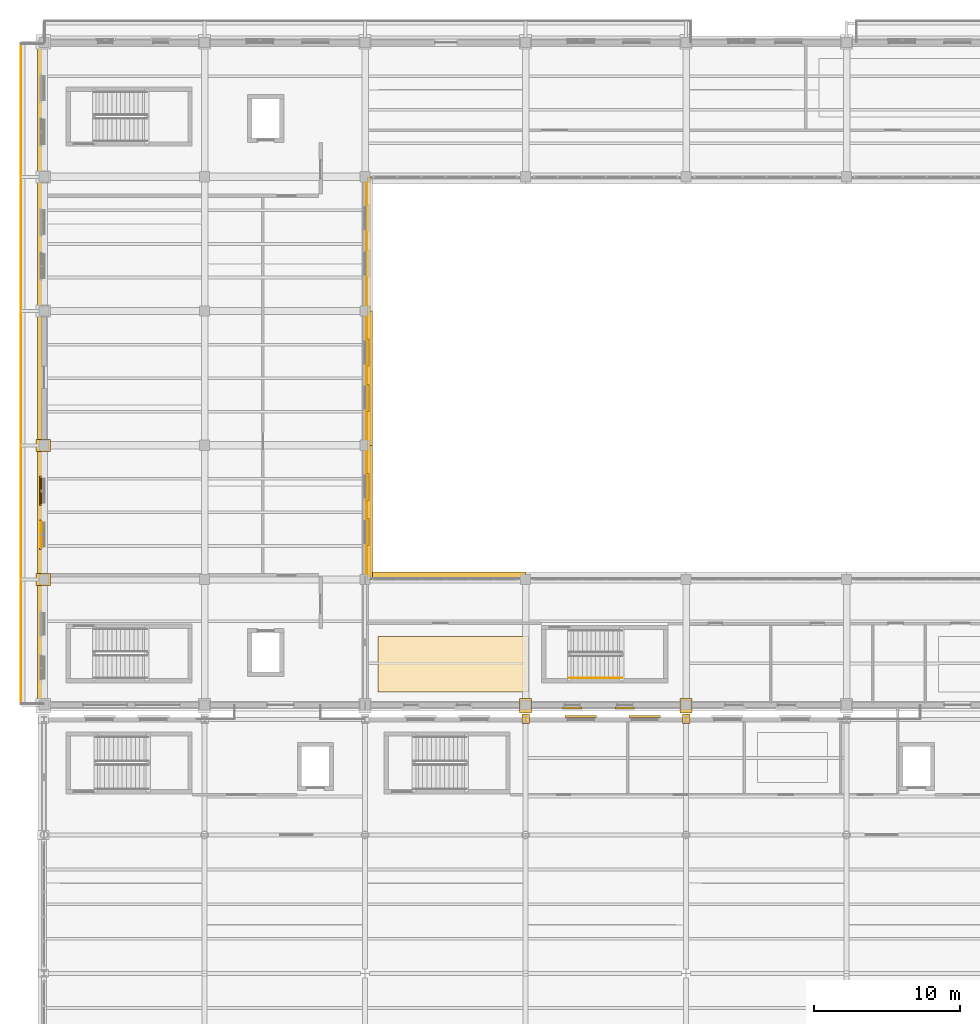
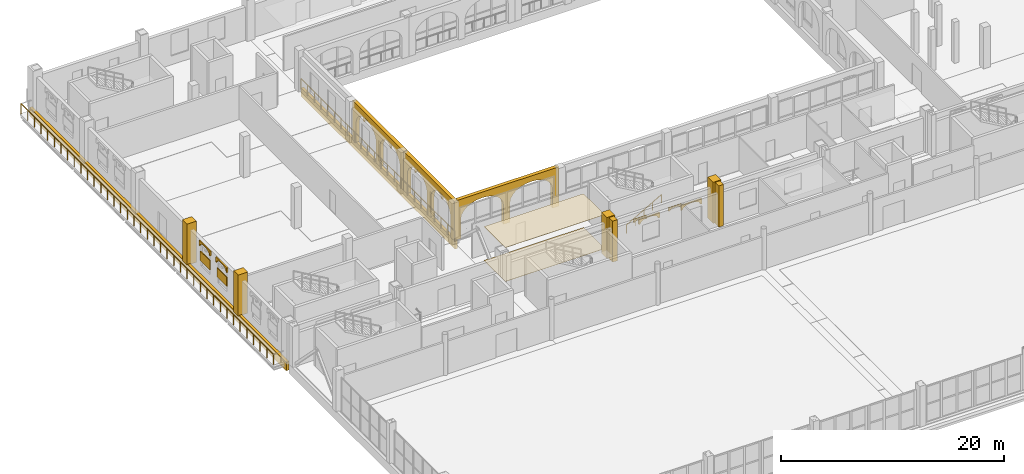
# One storey, part 137 of 156: 23 coverings, 3 railings, 2 shading devices.
"""IFC4 building model written with IfcOpenShell, lengths in metres."""

from ifc_helpers import new_model, si_unit, direction, frame, frame_2d, origin, origin_2d, place, context, subcontext, project, spatial, polyline, rectangle, circle, outline, extrude, material, layer, layer_set, type_object, element, save


model = new_model("IFC4")

# Units and contexts
model_context = context("Model", 3, precision=1e-05, world=origin(), true_north=direction((0.0, 1.0)))
body_context = subcontext(model_context, "Body", "Model", "MODEL_VIEW")
ifc_project = project(units=[si_unit("LENGTHUNIT", "METRE"), si_unit("AREAUNIT", "SQUARE_METRE"), si_unit("VOLUMEUNIT", "CUBIC_METRE"), si_unit("PLANEANGLEUNIT", "RADIAN"), si_unit("MASSUNIT", "GRAM", prefix="KILO")], contexts=[model_context])

# Site, building, storey
site_placement = place(None, origin())
site = spatial("IfcSite", under=ifc_project, at=site_placement, CompositionType="ELEMENT")
building_placement = place(site_placement, origin())
building = spatial("IfcBuilding", under=site, at=building_placement, Name="Caurita Quay Ferry Terminal", CompositionType="ELEMENT")
storey_placement = place(building_placement, frame((0.0, 0.0, 5.39990234375)))
storey = spatial("IfcBuildingStorey", under=building, at=storey_placement, Name="L01", CompositionType="ELEMENT", Elevation=5.39990234375)

# Coverings
ifc_material_1 = material(Name="Warm-white lime stucco masonry", Category="masonry")
ifc_layer_1 = layer(ifc_material_1, 0.360107421875, Name="Spanish Colonial semicircular lime-stucco portales arcade 360 mm")
ifc_layer_set_1 = layer_set([ifc_layer_1], Name="Warm-white lime stucco masonry")
covering_type_1 = type_object("IfcCoveringType", Name="COV-ARC-CLD", PredefinedType="CLADDING", material=ifc_layer_set_1)
covering_1_placement = place(storey_placement, frame((22.14990234375, 80.52001953125, 0.0), z_axis=(0.0, 0.0, 1.0), x_axis=(1.0, 0.0, 0.0)))
element("IfcCovering", 1, at=covering_1_placement, inside=storey, type_object=covering_type_1, Name="L01 Courtyard South Cloister Arcade 053", PredefinedType="CLADDING", context=body_context, shape_type="SweptSolid", body=[
    extrude(outline(polyline([(0.0, 0.0), (0.679931640625, 0.0), (0.679931640625, 2.14990234375), (0.755126953125, 2.55126953125), (0.97509765625, 2.925048828125), (1.3251953125, 3.24609375), (1.78125, 3.492431640625), (2.3125, 3.647216796875), (2.882568359375, 3.699951171875), (3.45263671875, 3.647216796875), (3.98388671875, 3.492431640625), (4.43994140625, 3.24609375), (4.7900390625, 2.925048828125), (5.010009765625, 2.55126953125), (5.0849609375, 2.14990234375), (5.0849609375, 0.0), (5.76513671875, 0.0), (5.76513671875, 2.14990234375), (5.840087890625, 2.55126953125), (6.06005859375, 2.925048828125), (6.41015625, 3.24609375), (6.8662109375, 3.492431640625), (7.3974609375, 3.647216796875), (7.967529296875, 3.699951171875), (8.53759765625, 3.647216796875), (9.06884765625, 3.492431640625), (9.52490234375, 3.24609375), (9.875, 2.925048828125), (10.094970703125, 2.55126953125), (10.170166015625, 2.14990234375), (10.170166015625, 0.0), (10.85009765625, 0.0), (10.85009765625, 4.300048828125), (0.0, 4.300048828125), (0.0, 0.0)])), frame((0.0, 0.18017578125, 0.0), z_axis=(0.0, -1.0, 0.0), x_axis=(1.0, 0.0, 0.0)), (0.0, 0.0, 1.0), 0.360107421875),
])
covering_2_placement = place(storey_placement, frame((22.320068359375, 80.35009765625, 0.0), z_axis=(0.0, 0.0, 1.0), x_axis=(0.0, 1.0, 0.0)))
element("IfcCovering", 2, at=covering_2_placement, inside=storey, type_object=covering_type_1, Name="L01 Courtyard West Cloister Arcade 061", PredefinedType="CLADDING", context=body_context, shape_type="SweptSolid", body=[
    extrude(outline(polyline([(0.0, 0.0), (0.64990234375, 0.0), (0.64990234375, 2.14990234375), (0.71044921875, 2.55126953125), (0.8876953125, 2.925048828125), (1.169921875, 3.24609375), (1.537353515625, 3.492431640625), (1.965576171875, 3.647216796875), (2.425048828125, 3.699951171875), (2.88427734375, 3.647216796875), (3.3125, 3.492431640625), (3.679931640625, 3.24609375), (3.962158203125, 2.925048828125), (4.139404296875, 2.55126953125), (4.199951171875, 2.14990234375), (4.199951171875, 0.0), (4.849853515625, 0.0), (4.849853515625, 2.14990234375), (4.910400390625, 2.55126953125), (5.087646484375, 2.925048828125), (5.369873046875, 3.24609375), (5.7373046875, 3.492431640625), (6.16552734375, 3.647216796875), (6.624755859375, 3.699951171875), (7.084228515625, 3.647216796875), (7.51220703125, 3.492431640625), (7.8798828125, 3.24609375), (8.162109375, 2.925048828125), (8.33935546875, 2.55126953125), (8.39990234375, 2.14990234375), (8.39990234375, 0.0), (9.0498046875, 0.0), (9.0498046875, 4.300048828125), (0.0, 4.300048828125), (0.0, 0.0)])), frame((0.0, 0.18017578125, 0.0), z_axis=(0.0, -1.0, 0.0), x_axis=(1.0, 0.0, 0.0)), (0.0, 0.0, 1.0), 0.360107421875),
])
covering_3_placement = place(storey_placement, frame((22.320068359375, 89.39990234375, 0.0), z_axis=(0.0, 0.0, 1.0), x_axis=(0.0, 1.0, 0.0)))
element("IfcCovering", 3, at=covering_3_placement, inside=storey, type_object=covering_type_1, Name="L01 Courtyard West Cloister Arcade 063", PredefinedType="CLADDING", context=body_context, shape_type="SweptSolid", body=[
    extrude(outline(polyline([(0.0, 0.0), (0.64990234375, 0.0), (0.64990234375, 2.14990234375), (0.711669921875, 2.55126953125), (0.892822265625, 2.925048828125), (1.180908203125, 3.24609375), (1.55615234375, 3.492431640625), (1.993408203125, 3.647216796875), (2.462646484375, 3.699951171875), (2.931640625, 3.647216796875), (3.368896484375, 3.492431640625), (3.744140625, 3.24609375), (4.0322265625, 2.925048828125), (4.21337890625, 2.55126953125), (4.275146484375, 2.14990234375), (4.275146484375, 0.0), (4.925048828125, 0.0), (4.925048828125, 2.14990234375), (4.98681640625, 2.55126953125), (5.16796875, 2.925048828125), (5.4560546875, 3.24609375), (5.831298828125, 3.492431640625), (6.2685546875, 3.647216796875), (6.737548828125, 3.699951171875), (7.206787109375, 3.647216796875), (7.64404296875, 3.492431640625), (8.019287109375, 3.24609375), (8.307373046875, 2.925048828125), (8.488525390625, 2.55126953125), (8.55029296875, 2.14990234375), (8.55029296875, 0.0), (9.2001953125, 0.0), (9.2001953125, 4.300048828125), (0.0, 4.300048828125), (0.0, 0.0)])), frame((0.0, 0.18017578125, 0.0), z_axis=(0.0, -1.0, 0.0), x_axis=(1.0, 0.0, 0.0)), (0.0, 0.0, 1.0), 0.360107421875),
])
ifc_material_2 = material(Name="Acoustic mineral fibre tile", Category="finish")
ifc_layer_2 = layer(ifc_material_2, 0.02001953125, Name="Acoustic mineral-fibre suspended ceiling 20 mm")
ifc_layer_set_2 = layer_set([ifc_layer_2], Name="Acoustic mineral fibre tile")
covering_type_2 = type_object("IfcCoveringType", Name="COV-CEIL-020", PredefinedType="CEILING", material=ifc_layer_set_2)
covering_4_placement = place(storey_placement, frame((0.0, 0.0, 3.712158203125)))
element("IfcCovering", 4, at=covering_4_placement, inside=storey, type_object=covering_type_2, Name="Passenger Customer Relations Office Acoustic Ceiling", PredefinedType="CEILING", context=body_context, shape_type="SweptSolid", body=[
    extrude(outline(polyline([(22.89990234375, 72.5), (33.199951171875, 72.5), (33.199951171875, 76.300048828125), (22.89990234375, 76.300048828125), (22.89990234375, 72.5)])), origin(), (0.0, 0.0, 1.0), 0.02001953125),
])
ifc_material_3 = material(Name="Coral stone ashlar cladding", Category="masonry")
ifc_layer_3 = layer(ifc_material_3, 0.239990234375, Name="Classical coral-stone entablature and cornice moulding 240 mm")
ifc_layer_set_3 = layer_set([ifc_layer_3], Name="Coral stone ashlar cladding")
covering_type_3 = type_object("IfcCoveringType", Name="COV-ENT-MLD", PredefinedType="MOLDING", material=ifc_layer_set_3)
covering_5_placement = place(storey_placement, frame((-0.320068359375, 117.320068359375, -0.849853515625), z_axis=(0.0, 0.0, 1.0), x_axis=(0.0, -1.0, 0.0)))
element("IfcCovering", 5, at=covering_5_placement, inside=storey, type_object=covering_type_3, Name="L01 Classical Entablature Cornice 006", PredefinedType="MOLDING", context=body_context, shape_type="SweptSolid", body=[
    extrude(rectangle(XDim=46.02001953125, YDim=0.280029296875, at=frame_2d((23.010009765625, 0.0))), origin(), (0.0, 0.0, 1.0), 0.929931640625),
])
covering_6_placement = place(storey_placement, frame((22.280029296875, 80.199951171875, -0.849853515625), z_axis=(0.0, 0.0, 1.0), x_axis=(0.0, 1.0, 0.0)))
element("IfcCovering", 6, at=covering_6_placement, inside=storey, type_object=covering_type_3, Name="L01 Classical Entablature Cornice 021", PredefinedType="MOLDING", context=body_context, shape_type="SweptSolid", body=[
    extrude(rectangle(XDim=27.60009765625, YDim=0.280029296875, at=frame_2d((13.800048828125, 0.0))), origin(), (0.0, 0.0, 1.0), 0.929931640625),
])
ifc_material_4 = material(Name="Polished marine terrazzo tile", Category="finish")
ifc_layer_4 = layer(ifc_material_4, 0.02490234375, Name="Polished marine terrazzo floor finish 25 mm")
ifc_layer_set_4 = layer_set([ifc_layer_4], Name="Polished marine terrazzo tile")
covering_type_4 = type_object("IfcCoveringType", Name="COV-FLR-025", PredefinedType="FLOORING", material=ifc_layer_set_4)
covering_7_placement = place(storey_placement, origin())
element("IfcCovering", 7, at=covering_7_placement, inside=storey, type_object=covering_type_4, Name="Passenger Customer Relations Office Terrazzo Flooring", PredefinedType="FLOORING", context=body_context, shape_type="SweptSolid", body=[
    extrude(outline(polyline([(22.89990234375, 72.5), (33.199951171875, 72.5), (33.199951171875, 76.300048828125), (22.89990234375, 76.300048828125), (22.89990234375, 72.5)])), origin(), (0.0, 0.0, 1.0), 0.025146484375),
])
ifc_layer_5 = layer(ifc_material_1, 0.179931640625, Name="Classical engaged lime-stucco facade pilaster cladding 180 mm")
ifc_layer_set_5 = layer_set([ifc_layer_5], Name="Warm-white lime stucco masonry")
covering_type_5 = type_object("IfcCoveringType", Name="COV-PIL-CLD", PredefinedType="CLADDING", material=ifc_layer_set_5)
for number, where, z_axis, x_axis, name in (
    (8, (33.0, 70.64990234375, 0.0), (0.0, 0.0, 1.0), (1.0, 0.0, 0.0), "L01 Classical Engaged Pilaster 0038"),
    (9, (44.0, 70.64990234375, 0.0), (0.0, 0.0, 1.0), (1.0, 0.0, 0.0), "L01 Classical Engaged Pilaster 0045"),
):
    element("IfcCovering", number, at=place(storey_placement, frame(where, z_axis=z_axis, x_axis=x_axis)), inside=storey, type_object=covering_type_5, Name=name, PredefinedType="CLADDING", context=body_context, shape_type="SweptSolid", body=[
        extrude(rectangle(XDim=0.513671875, YDim=0.656005859375, at=origin_2d()), origin(), (0.0, 0.0, 1.0), 4.5),
    ])
for number, where, z_axis, x_axis, name in (
    (10, (-0.050048828125, 80.199951171875, 0.0), (0.0, 0.0, 1.0), (1.0, 0.0, 0.0), "L01 Classical Engaged Pilaster 0272"),
    (11, (-0.050048828125, 89.39990234375, 0.0), (0.0, 0.0, 1.0), (1.0, 0.0, 0.0), "L01 Classical Engaged Pilaster 0277"),
):
    element("IfcCovering", number, at=place(storey_placement, frame(where, z_axis=z_axis, x_axis=x_axis)), inside=storey, type_object=covering_type_5, Name=name, PredefinedType="CLADDING", context=body_context, shape_type="SweptSolid", body=[
        extrude(rectangle(XDim=0.97998046875, YDim=0.820068359375, at=origin_2d()), origin(), (0.0, 0.0, 1.0), 4.5),
    ])
for number, where, z_axis, x_axis, name in (
    (12, (33.0, 71.550048828125, 0.0), (0.0, 0.0, 1.0), (1.0, 0.0, 0.0), "L01 Classical Engaged Pilaster 0329"),
    (13, (44.0, 71.550048828125, 0.0), (0.0, 0.0, 1.0), (1.0, 0.0, 0.0), "L01 Classical Engaged Pilaster 0343"),
):
    element("IfcCovering", number, at=place(storey_placement, frame(where, z_axis=z_axis, x_axis=x_axis)), inside=storey, type_object=covering_type_5, Name=name, PredefinedType="CLADDING", context=body_context, shape_type="SweptSolid", body=[
        extrude(rectangle(XDim=0.820068359375, YDim=0.97998046875, at=origin_2d()), origin(), (0.0, 0.0, 1.0), 4.5),
    ])
ifc_layer_6 = layer(ifc_material_3, 0.139892578125, Name="Spanish Colonial semicircular arched window surround 140 mm")
ifc_layer_set_6 = layer_set([ifc_layer_6], Name="Coral stone ashlar cladding")
covering_type_6 = type_object("IfcCoveringType", Name="COV-WHD-MLD", PredefinedType="MOLDING", material=ifc_layer_set_6)
for number, where, z_axis, x_axis, name in (
    (14, (-0.22998046875, 87.280029296875, 3.18017578125), (0.0, 0.0, 1.0), (0.0, -1.0, 0.0), "L01 Arched Window Surround 034"),
    (15, (-0.22998046875, 84.280029296875, 3.18017578125), (0.0, 0.0, 1.0), (0.0, -1.0, 0.0), "L01 Arched Window Surround 035"),
):
    element("IfcCovering", number, at=place(storey_placement, frame(where, z_axis=z_axis, x_axis=x_axis)), inside=storey, type_object=covering_type_6, Name=name, PredefinedType="MOLDING", context=body_context, shape_type="SweptSolid", body=[
        extrude(outline(polyline([(0.0, 0.0), (0.159912109375, 0.0), (0.159912109375, 0.0400390625), (0.201416015625, 0.1650390625), (0.3212890625, 0.278076171875), (0.50830078125, 0.36767578125), (0.743896484375, 0.42529296875), (1.0048828125, 0.445068359375), (1.26611328125, 0.42529296875), (1.501708984375, 0.36767578125), (1.688720703125, 0.278076171875), (1.80859375, 0.1650390625), (1.85009765625, 0.0400390625), (1.85009765625, 0.0), (2.010009765625, 0.0), (2.010009765625, 0.52490234375), (0.0, 0.52490234375), (0.0, 0.0)])), frame((0.0, 0.06982421875, 0.0), z_axis=(0.0, -1.0, 0.0), x_axis=(1.0, 0.0, 0.0)), (0.0, 0.0, 1.0), 0.139892578125),
    ])
for number, where, z_axis, x_axis, name in (
    (16, (35.52001953125, 71.385009765625, 2.72998046875), (0.0, 0.0, 1.0), (1.0, 0.0, 0.0), "L01 Arched Window Surround 058"),
    (17, (39.1201171875, 71.385009765625, 2.72998046875), (0.0, 0.0, 1.0), (1.0, 0.0, 0.0), "L01 Arched Window Surround 059"),
):
    element("IfcCovering", number, at=place(storey_placement, frame(where, z_axis=z_axis, x_axis=x_axis)), inside=storey, type_object=covering_type_6, Name=name, PredefinedType="MOLDING", context=body_context, shape_type="SweptSolid", body=[
        extrude(outline(polyline([(0.0, 0.0), (0.159912109375, 0.0), (0.159912109375, 0.0400390625), (0.185546875, 0.101806640625), (0.25927734375, 0.157470703125), (0.374267578125, 0.201904296875), (0.519287109375, 0.230224609375), (0.679931640625, 0.239990234375), (0.840576171875, 0.230224609375), (0.985595703125, 0.201904296875), (1.1005859375, 0.157470703125), (1.17431640625, 0.101806640625), (1.199951171875, 0.0400390625), (1.199951171875, 0.0), (1.35986328125, 0.0), (1.35986328125, 0.320068359375), (0.0, 0.320068359375), (0.0, 0.0)])), frame((0.0, 0.06982421875, 0.0), z_axis=(0.0, -1.0, 0.0), x_axis=(1.0, 0.0, 0.0)), (0.0, 0.0, 1.0), 0.139892578125),
    ])
for number, where, z_axis, x_axis, name in (
    (18, (22.215087890625, 82.52001953125, 3.18017578125), (0.0, 0.0, 1.0), (0.0, 1.0, 0.0), "L01 Arched Window Surround 105"),
    (19, (22.215087890625, 85.6201171875, 3.18017578125), (0.0, 0.0, 1.0), (0.0, 1.0, 0.0), "L01 Arched Window Surround 106"),
):
    element("IfcCovering", number, at=place(storey_placement, frame(where, z_axis=z_axis, x_axis=x_axis)), inside=storey, type_object=covering_type_6, Name=name, PredefinedType="MOLDING", context=body_context, shape_type="SweptSolid", body=[
        extrude(outline(polyline([(0.0, 0.0), (0.159912109375, 0.0), (0.159912109375, 0.0400390625), (0.19775390625, 0.1513671875), (0.30712890625, 0.251708984375), (0.477294921875, 0.331298828125), (0.69189453125, 0.38232421875), (0.929931640625, 0.39990234375), (1.16796875, 0.38232421875), (1.382568359375, 0.331298828125), (1.552734375, 0.251708984375), (1.662109375, 0.1513671875), (1.699951171875, 0.0400390625), (1.699951171875, 0.0), (1.85986328125, 0.0), (1.85986328125, 0.47998046875), (0.0, 0.47998046875), (0.0, 0.0)])), frame((0.0, 0.06982421875, 0.0), z_axis=(0.0, -1.0, 0.0), x_axis=(1.0, 0.0, 0.0)), (0.0, 0.0, 1.0), 0.139892578125),
    ])
covering_8_placement = place(storey_placement, frame((22.215087890625, 91.719970703125, 3.18017578125), z_axis=(0.0, 0.0, 1.0), x_axis=(0.0, 1.0, 0.0)))
element("IfcCovering", 20, at=covering_8_placement, inside=storey, type_object=covering_type_6, Name="L01 Arched Window Surround 107", PredefinedType="MOLDING", context=body_context, shape_type="SweptSolid", body=[
    extrude(outline(polyline([(0.0, 0.0), (0.159912109375, 0.0), (0.159912109375, 0.0400390625), (0.19775390625, 0.1513671875), (0.30712890625, 0.251708984375), (0.4775390625, 0.331298828125), (0.692138671875, 0.38232421875), (0.929931640625, 0.39990234375), (1.16796875, 0.38232421875), (1.382568359375, 0.331298828125), (1.552978515625, 0.251708984375), (1.662353515625, 0.1513671875), (1.7001953125, 0.0400390625), (1.7001953125, 0.0), (1.860107421875, 0.0), (1.860107421875, 0.47998046875), (0.0, 0.47998046875), (0.0, 0.0)])), frame((0.0, 0.06982421875, 0.0), z_axis=(0.0, -1.0, 0.0), x_axis=(1.0, 0.0, 0.0)), (0.0, 0.0, 1.0), 0.139892578125),
])
covering_9_placement = place(storey_placement, frame((22.215087890625, 94.820068359375, 3.18017578125), z_axis=(0.0, 0.0, 1.0), x_axis=(0.0, 1.0, 0.0)))
element("IfcCovering", 21, at=covering_9_placement, inside=storey, type_object=covering_type_6, Name="L01 Arched Window Surround 108", PredefinedType="MOLDING", context=body_context, shape_type="SweptSolid", body=[
    extrude(outline(polyline([(0.0, 0.0), (0.159912109375, 0.0), (0.159912109375, 0.0400390625), (0.19775390625, 0.1513671875), (0.30712890625, 0.251708984375), (0.477294921875, 0.331298828125), (0.69189453125, 0.38232421875), (0.929931640625, 0.39990234375), (1.16796875, 0.38232421875), (1.382568359375, 0.331298828125), (1.552734375, 0.251708984375), (1.662109375, 0.1513671875), (1.699951171875, 0.0400390625), (1.699951171875, 0.0), (1.85986328125, 0.0), (1.85986328125, 0.47998046875), (0.0, 0.47998046875), (0.0, 0.0)])), frame((0.0, 0.06982421875, 0.0), z_axis=(0.0, -1.0, 0.0), x_axis=(1.0, 0.0, 0.0)), (0.0, 0.0, 1.0), 0.139892578125),
])
covering_10_placement = place(storey_placement, frame((42.245361328125, 70.81494140625, 2.830078125), z_axis=(0.0, 0.0, 1.0), x_axis=(-1.0, 0.0, 0.0)))
element("IfcCovering", 22, at=covering_10_placement, inside=storey, type_object=covering_type_6, Name="L01 Arched Window Surround 145", PredefinedType="MOLDING", context=body_context, shape_type="SweptSolid", body=[
    extrude(outline(polyline([(0.0, 0.0), (0.159912109375, 0.0), (0.159912109375, 0.0400390625), (0.205078125, 0.1728515625), (0.335693359375, 0.292724609375), (0.539306640625, 0.387939453125), (0.795654296875, 0.448974609375), (1.080078125, 0.469970703125), (1.364501953125, 0.448974609375), (1.620849609375, 0.387939453125), (1.824462890625, 0.292724609375), (1.955078125, 0.1728515625), (2.000244140625, 0.0400390625), (2.000244140625, 0.0), (2.16015625, 0.0), (2.16015625, 0.550048828125), (0.0, 0.550048828125), (0.0, 0.0)])), frame((0.0, 0.06982421875, 0.0), z_axis=(0.0, -1.0, 0.0), x_axis=(1.0, 0.0, 0.0)), (0.0, 0.0, 1.0), 0.139892578125),
])
covering_11_placement = place(storey_placement, frame((37.8798828125, 70.81494140625, 2.830078125), z_axis=(0.0, 0.0, 1.0), x_axis=(-1.0, 0.0, 0.0)))
element("IfcCovering", 23, at=covering_11_placement, inside=storey, type_object=covering_type_6, Name="L01 Arched Window Surround 146", PredefinedType="MOLDING", context=body_context, shape_type="SweptSolid", body=[
    extrude(outline(polyline([(0.0, 0.0), (0.159912109375, 0.0), (0.159912109375, 0.0400390625), (0.205078125, 0.1728515625), (0.335693359375, 0.292724609375), (0.539306640625, 0.387939453125), (0.795654296875, 0.448974609375), (1.080078125, 0.469970703125), (1.3642578125, 0.448974609375), (1.62060546875, 0.387939453125), (1.82421875, 0.292724609375), (1.954833984375, 0.1728515625), (2.0, 0.0400390625), (2.0, 0.0), (2.159912109375, 0.0), (2.159912109375, 0.550048828125), (0.0, 0.550048828125), (0.0, 0.0)])), frame((0.0, 0.06982421875, 0.0), z_axis=(0.0, -1.0, 0.0), x_axis=(1.0, 0.0, 0.0)), (0.0, 0.0, 1.0), 0.139892578125),
])

# Railings
ifc_material_5 = material(Name="Bronze architectural metalwork", Category="metal")
railing_type_1 = type_object("IfcRailingType", Name="RL-HND-090", PredefinedType="HANDRAIL", material=ifc_material_5)
railing_1_placement = place(storey_placement, frame((36.0, 73.449951171875, 0.173095703125)))
element("IfcRailing", 24, at=railing_1_placement, inside=storey, type_object=railing_type_1, Name="L01 ST-03 stair handrail 1", PredefinedType="HANDRAIL", context=body_context, shape_type="SweptSolid", body=[
    extrude(circle(Radius=0.02392578125, at=origin_2d()), frame((0.0, 0.0, 0.8759765625), z_axis=(0.866193409371, 0.0, 0.499708892819), x_axis=(0.0, 1.0, 0.0)), (0.0, 0.0, 1.0), 4.15625),
    extrude(circle(Radius=0.02099609375, at=origin_2d()), origin(), (0.0, 0.0, 1.0), 0.851806640625),
    extrude(circle(Radius=0.02099609375, at=origin_2d()), frame((0.89990234375, 0.0, 0.519287109375)), (0.0, 0.0, 1.0), 0.851806640625),
    extrude(circle(Radius=0.02099609375, at=origin_2d()), frame((1.800048828125, 0.0, 1.03857421875)), (0.0, 0.0, 1.0), 0.851806640625),
    extrude(circle(Radius=0.02099609375, at=origin_2d()), frame((2.7001953125, 0.0, 1.5576171875)), (0.0, 0.0, 1.0), 0.851806640625),
    extrude(circle(Radius=0.02099609375, at=origin_2d()), frame((3.60009765625, 0.0, 2.076904296875)), (0.0, 0.0, 1.0), 0.851806640625),
])
railing_type_2 = type_object("IfcRailingType", Name="RL-REJA-115", PredefinedType="BALUSTRADE", material=ifc_material_5)
railing_2_placement = place(storey_placement, frame((22.10009765625, 107.75, 0.0)))
element("IfcRailing", 25, at=railing_2_placement, inside=storey, type_object=railing_type_2, Name="L01 Courtyard Cloister Guard (085)", PredefinedType="BALUSTRADE", context=body_context, shape_type="SweptSolid", body=[
    extrude(circle(Radius=0.02392578125, at=origin_2d()), frame((0.0, 0.0, 1.1259765625), z_axis=(0.0, -1.0, 0.0), x_axis=(1.0, 0.0, 0.0)), (0.0, 0.0, 1.0), 27.5),
    extrude(circle(Radius=0.02099609375, at=origin_2d()), origin(), (0.0, 0.0, 1.0), 1.101806640625),
    extrude(circle(Radius=0.02099609375, at=origin_2d()), frame((0.0, -1.195556640625, 0.0)), (0.0, 0.0, 1.0), 1.101806640625),
    extrude(circle(Radius=0.02099609375, at=origin_2d()), frame((0.0, -2.391357421875, 0.0)), (0.0, 0.0, 1.0), 1.101806640625),
    extrude(circle(Radius=0.02099609375, at=origin_2d()), frame((0.0, -3.5869140625, 0.0)), (0.0, 0.0, 1.0), 1.101806640625),
    extrude(circle(Radius=0.02099609375, at=origin_2d()), frame((0.0, -4.78271484375, 0.0)), (0.0, 0.0, 1.0), 1.101806640625),
    extrude(circle(Radius=0.02099609375, at=origin_2d()), frame((0.0, -5.978271484375, 0.0)), (0.0, 0.0, 1.0), 1.101806640625),
    extrude(circle(Radius=0.02099609375, at=origin_2d()), frame((0.0, -7.173828125, 0.0)), (0.0, 0.0, 1.0), 1.101806640625),
    extrude(circle(Radius=0.02099609375, at=origin_2d()), frame((0.0, -8.36962890625, 0.0)), (0.0, 0.0, 1.0), 1.101806640625),
    extrude(circle(Radius=0.02099609375, at=origin_2d()), frame((0.0, -9.565185546875, 0.0)), (0.0, 0.0, 1.0), 1.101806640625),
    extrude(circle(Radius=0.02099609375, at=origin_2d()), frame((0.0, -10.760986328125, 0.0)), (0.0, 0.0, 1.0), 1.101806640625),
    extrude(circle(Radius=0.02099609375, at=origin_2d()), frame((0.0, -11.95654296875, 0.0)), (0.0, 0.0, 1.0), 1.101806640625),
    extrude(circle(Radius=0.02099609375, at=origin_2d()), frame((0.0, -13.152099609375, 0.0)), (0.0, 0.0, 1.0), 1.101806640625),
    extrude(circle(Radius=0.02099609375, at=origin_2d()), frame((0.0, -14.347900390625, 0.0)), (0.0, 0.0, 1.0), 1.101806640625),
    extrude(circle(Radius=0.02099609375, at=origin_2d()), frame((0.0, -15.54345703125, 0.0)), (0.0, 0.0, 1.0), 1.101806640625),
    extrude(circle(Radius=0.02099609375, at=origin_2d()), frame((0.0, -16.739013671875, 0.0)), (0.0, 0.0, 1.0), 1.101806640625),
    extrude(circle(Radius=0.02099609375, at=origin_2d()), frame((0.0, -17.934814453125, 0.0)), (0.0, 0.0, 1.0), 1.101806640625),
    extrude(circle(Radius=0.02099609375, at=origin_2d()), frame((0.0, -19.13037109375, 0.0)), (0.0, 0.0, 1.0), 1.101806640625),
    extrude(circle(Radius=0.02099609375, at=origin_2d()), frame((0.0, -20.326171875, 0.0)), (0.0, 0.0, 1.0), 1.101806640625),
    extrude(circle(Radius=0.02099609375, at=origin_2d()), frame((0.0, -21.521728515625, 0.0)), (0.0, 0.0, 1.0), 1.101806640625),
    extrude(circle(Radius=0.02099609375, at=origin_2d()), frame((0.0, -22.71728515625, 0.0)), (0.0, 0.0, 1.0), 1.101806640625),
    extrude(circle(Radius=0.02099609375, at=origin_2d()), frame((0.0, -23.9130859375, 0.0)), (0.0, 0.0, 1.0), 1.101806640625),
    extrude(circle(Radius=0.02099609375, at=origin_2d()), frame((0.0, -25.108642578125, 0.0)), (0.0, 0.0, 1.0), 1.101806640625),
    extrude(circle(Radius=0.02099609375, at=origin_2d()), frame((0.0, -26.304443359375, 0.0)), (0.0, 0.0, 1.0), 1.101806640625),
    extrude(circle(Radius=0.02099609375, at=origin_2d()), frame((0.0, -27.5, 0.0)), (0.0, 0.0, 1.0), 1.101806640625),
])
railing_3_placement = place(storey_placement, frame((-1.580078125, 71.679931640625, 0.0)))
element("IfcRailing", 26, at=railing_3_placement, inside=storey, type_object=railing_type_2, Name="L01 West Quay Portales Balcony Balustrade (120)", PredefinedType="BALUSTRADE", context=body_context, shape_type="SweptSolid", body=[
    extrude(circle(Radius=0.02392578125, at=origin_2d()), frame((0.0, 0.0, 1.1259765625), z_axis=(0.0, 1.0, 0.0), x_axis=(-1.0, 0.0, 0.0)), (0.0, 0.0, 1.0), 45.239990234375),
    extrude(circle(Radius=0.02099609375, at=origin_2d()), origin(), (0.0, 0.0, 1.0), 1.101806640625),
    extrude(circle(Radius=0.02099609375, at=origin_2d()), frame((0.0, 1.1904296875, 0.0)), (0.0, 0.0, 1.0), 1.101806640625),
    extrude(circle(Radius=0.02099609375, at=origin_2d()), frame((0.0, 2.381103515625, 0.0)), (0.0, 0.0, 1.0), 1.101806640625),
    extrude(circle(Radius=0.02099609375, at=origin_2d()), frame((0.0, 3.571533203125, 0.0)), (0.0, 0.0, 1.0), 1.101806640625),
    extrude(circle(Radius=0.02099609375, at=origin_2d()), frame((0.0, 4.76220703125, 0.0)), (0.0, 0.0, 1.0), 1.101806640625),
    extrude(circle(Radius=0.02099609375, at=origin_2d()), frame((0.0, 5.95263671875, 0.0)), (0.0, 0.0, 1.0), 1.101806640625),
    extrude(circle(Radius=0.02099609375, at=origin_2d()), frame((0.0, 7.14306640625, 0.0)), (0.0, 0.0, 1.0), 1.101806640625),
    extrude(circle(Radius=0.02099609375, at=origin_2d()), frame((0.0, 8.333740234375, 0.0)), (0.0, 0.0, 1.0), 1.101806640625),
    extrude(circle(Radius=0.02099609375, at=origin_2d()), frame((0.0, 9.524169921875, 0.0)), (0.0, 0.0, 1.0), 1.101806640625),
    extrude(circle(Radius=0.02099609375, at=origin_2d()), frame((0.0, 10.71484375, 0.0)), (0.0, 0.0, 1.0), 1.101806640625),
    extrude(circle(Radius=0.02099609375, at=origin_2d()), frame((0.0, 11.9052734375, 0.0)), (0.0, 0.0, 1.0), 1.101806640625),
    extrude(circle(Radius=0.02099609375, at=origin_2d()), frame((0.0, 13.095703125, 0.0)), (0.0, 0.0, 1.0), 1.101806640625),
    extrude(circle(Radius=0.02099609375, at=origin_2d()), frame((0.0, 14.286376953125, 0.0)), (0.0, 0.0, 1.0), 1.101806640625),
    extrude(circle(Radius=0.02099609375, at=origin_2d()), frame((0.0, 15.476806640625, 0.0)), (0.0, 0.0, 1.0), 1.101806640625),
    extrude(circle(Radius=0.02099609375, at=origin_2d()), frame((0.0, 16.66748046875, 0.0)), (0.0, 0.0, 1.0), 1.101806640625),
    extrude(circle(Radius=0.02099609375, at=origin_2d()), frame((0.0, 17.85791015625, 0.0)), (0.0, 0.0, 1.0), 1.101806640625),
    extrude(circle(Radius=0.02099609375, at=origin_2d()), frame((0.0, 19.04833984375, 0.0)), (0.0, 0.0, 1.0), 1.101806640625),
    extrude(circle(Radius=0.02099609375, at=origin_2d()), frame((0.0, 20.239013671875, 0.0)), (0.0, 0.0, 1.0), 1.101806640625),
    extrude(circle(Radius=0.02099609375, at=origin_2d()), frame((0.0, 21.429443359375, 0.0)), (0.0, 0.0, 1.0), 1.101806640625),
    extrude(circle(Radius=0.02099609375, at=origin_2d()), frame((0.0, 22.6201171875, 0.0)), (0.0, 0.0, 1.0), 1.101806640625),
    extrude(circle(Radius=0.02099609375, at=origin_2d()), frame((0.0, 23.810546875, 0.0)), (0.0, 0.0, 1.0), 1.101806640625),
    extrude(circle(Radius=0.02099609375, at=origin_2d()), frame((0.0, 25.0009765625, 0.0)), (0.0, 0.0, 1.0), 1.101806640625),
    extrude(circle(Radius=0.02099609375, at=origin_2d()), frame((0.0, 26.191650390625, 0.0)), (0.0, 0.0, 1.0), 1.101806640625),
    extrude(circle(Radius=0.02099609375, at=origin_2d()), frame((0.0, 27.382080078125, 0.0)), (0.0, 0.0, 1.0), 1.101806640625),
    extrude(circle(Radius=0.02099609375, at=origin_2d()), frame((0.0, 28.572509765625, 0.0)), (0.0, 0.0, 1.0), 1.101806640625),
    extrude(circle(Radius=0.02099609375, at=origin_2d()), frame((0.0, 29.76318359375, 0.0)), (0.0, 0.0, 1.0), 1.101806640625),
    extrude(circle(Radius=0.02099609375, at=origin_2d()), frame((0.0, 30.95361328125, 0.0)), (0.0, 0.0, 1.0), 1.101806640625),
    extrude(circle(Radius=0.02099609375, at=origin_2d()), frame((0.0, 32.144287109375, 0.0)), (0.0, 0.0, 1.0), 1.101806640625),
    extrude(circle(Radius=0.02099609375, at=origin_2d()), frame((0.0, 33.334716796875, 0.0)), (0.0, 0.0, 1.0), 1.101806640625),
    extrude(circle(Radius=0.02099609375, at=origin_2d()), frame((0.0, 34.525146484375, 0.0)), (0.0, 0.0, 1.0), 1.101806640625),
    extrude(circle(Radius=0.02099609375, at=origin_2d()), frame((0.0, 35.7158203125, 0.0)), (0.0, 0.0, 1.0), 1.101806640625),
    extrude(circle(Radius=0.02099609375, at=origin_2d()), frame((0.0, 36.90625, 0.0)), (0.0, 0.0, 1.0), 1.101806640625),
    extrude(circle(Radius=0.02099609375, at=origin_2d()), frame((0.0, 38.096923828125, 0.0)), (0.0, 0.0, 1.0), 1.101806640625),
    extrude(circle(Radius=0.02099609375, at=origin_2d()), frame((0.0, 39.287353515625, 0.0)), (0.0, 0.0, 1.0), 1.101806640625),
    extrude(circle(Radius=0.02099609375, at=origin_2d()), frame((0.0, 40.477783203125, 0.0)), (0.0, 0.0, 1.0), 1.101806640625),
    extrude(circle(Radius=0.02099609375, at=origin_2d()), frame((0.0, 41.66845703125, 0.0)), (0.0, 0.0, 1.0), 1.101806640625),
    extrude(circle(Radius=0.02099609375, at=origin_2d()), frame((0.0, 42.85888671875, 0.0)), (0.0, 0.0, 1.0), 1.101806640625),
    extrude(circle(Radius=0.02099609375, at=origin_2d()), frame((0.0, 44.049560546875, 0.0)), (0.0, 0.0, 1.0), 1.101806640625),
    extrude(circle(Radius=0.02099609375, at=origin_2d()), frame((0.0, 45.239990234375, 0.0)), (0.0, 0.0, 1.0), 1.101806640625),
])

# Shading devices
shading_device_type_1 = type_object("IfcShadingDeviceType", Name="SHD-JAL-01", PredefinedType="JALOUSIE", material=ifc_material_5)
shading_device_1_placement = place(storey_placement, frame((-0.2080078125, 86.27490234375, 1.56884765625), z_axis=(0.0, 0.0, 1.0), x_axis=(0.0, -1.0, 0.0)))
element("IfcShadingDevice", 27, at=shading_device_1_placement, inside=storey, type_object=shading_device_type_1, Name="L01 Tropical Window Sun-Breaker 037", PredefinedType="JALOUSIE", context=body_context, shape_type="SweptSolid", body=[
    extrude(rectangle(XDim=1.75, YDim=0.080078125, at=origin_2d()), origin(), (0.0, 0.0, 1.0), 1.012451171875),
])
ifc_material_6 = material(Name="Tropical mahogany hardwood", Category="wood")
shading_device_type_2 = type_object("IfcShadingDeviceType", Name="SHD-SHT-01", PredefinedType="SHUTTER", material=ifc_material_6)
shading_device_2_placement = place(storey_placement, frame((-0.197998046875, 83.27490234375, 1.56884765625), z_axis=(0.0, 0.0, 1.0), x_axis=(0.0, -1.0, 0.0)))
element("IfcShadingDevice", 28, at=shading_device_2_placement, inside=storey, type_object=shading_device_type_2, Name="L01 Tropical Window Sun-Breaker 038", PredefinedType="SHUTTER", context=body_context, shape_type="SweptSolid", body=[
    extrude(rectangle(XDim=1.75, YDim=0.06005859375, at=origin_2d()), origin(), (0.0, 0.0, 1.0), 1.012451171875),
])

save(model, "model.ifc")
